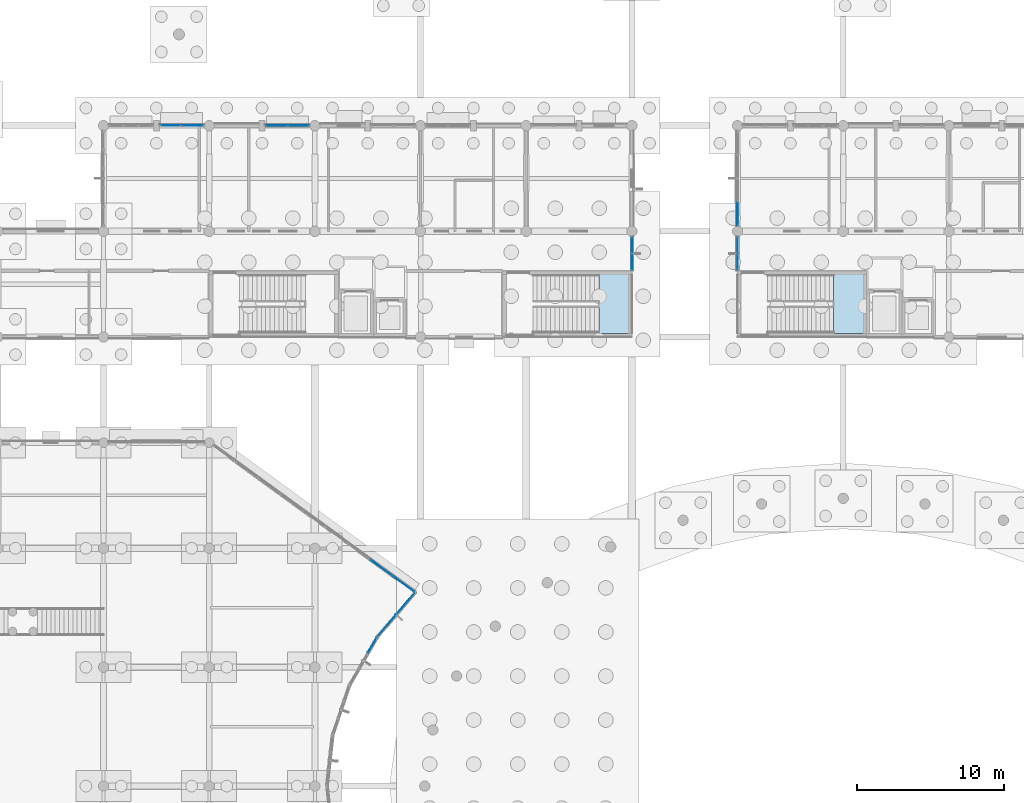
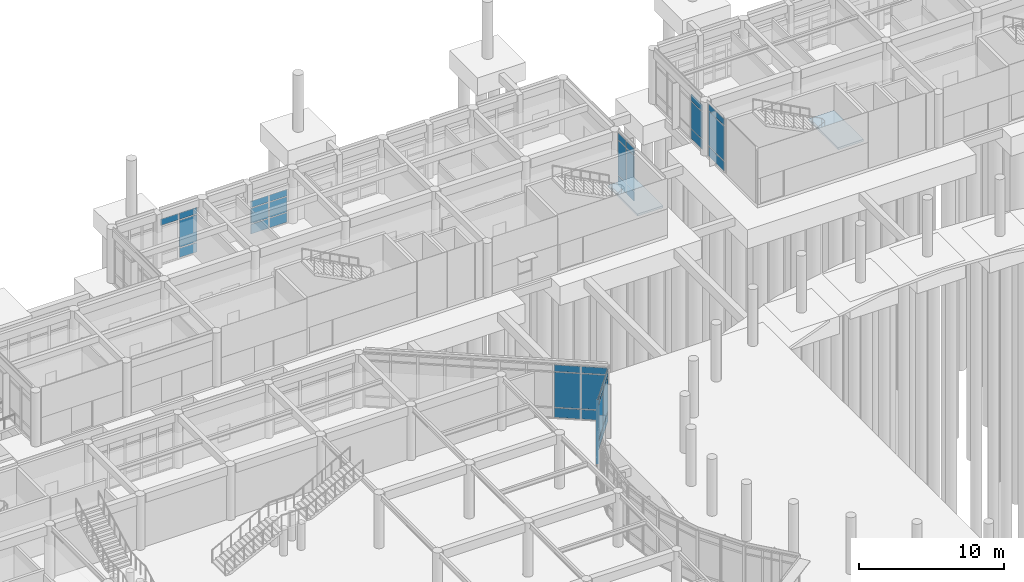
# One storey, part 48 of 103: 37 plates, 2 slabs, 10 elements without a shape of their own.
"""IFC4 building model written with IfcOpenShell, lengths in metres."""

from ifc_helpers import new_model, si_unit, direction, frame, origin, origin_2d, place, context, subcontext, project, spatial, polyline, rectangle, outline, extrude, material, layer, layer_set, type_object, element, aggregate, save


model = new_model("IFC4")

# Units and contexts
model_context = context("Model", 3, precision=1e-05, world=origin(), true_north=direction((0.0, 1.0)))
body_context = subcontext(model_context, "Body", "Model", "MODEL_VIEW")
ifc_project = project(units=[si_unit("LENGTHUNIT", "METRE"), si_unit("AREAUNIT", "SQUARE_METRE"), si_unit("VOLUMEUNIT", "CUBIC_METRE"), si_unit("PLANEANGLEUNIT", "RADIAN"), si_unit("MASSUNIT", "GRAM", prefix="KILO")], contexts=[model_context])

# Site, building, storey
site_placement = place(None, origin())
site = spatial("IfcSite", under=ifc_project, at=site_placement, CompositionType="ELEMENT")
building_placement = place(site_placement, origin())
building = spatial("IfcBuilding", under=site, at=building_placement, Name="Namkhue Oval Health Centre", CompositionType="ELEMENT")
storey_placement = place(building_placement, origin())
storey = spatial("IfcBuildingStorey", under=building, at=storey_placement, Name="L00", CompositionType="ELEMENT", Elevation=0.0)

# Curtain wall, plates
ifc_material_1 = material(Name="Anodised aluminium EN AW-6063 T6", Category="aluminium")
ifc_layer_1 = layer(ifc_material_1, 0.159912109375)
ifc_layer_set_1 = layer_set([ifc_layer_1], Name="Anodised aluminium EN AW-6063 T6")
curtain_wall_type_1 = type_object("IfcCurtainWallType", Name="UNITISED CURTAIN WALL M1500", PredefinedType="NOTDEFINED", material=ifc_layer_set_1)
curtain_wall_1_placement = place(storey_placement, origin())
curtain_wall_1 = element("IfcCurtainWall", 1, at=curtain_wall_1_placement, inside=storey, type_object=curtain_wall_type_1, Name="Volume V1 L00 Unitised Curtain Wall 9", PredefinedType="NOTDEFINED")
ifc_material_2 = material(Name="Thermally broken low-E laminated double glazing", Category="glass")
ifc_layer_2 = layer(ifc_material_2, 0.02587890625)
ifc_layer_set_2 = layer_set([ifc_layer_2], Name="Thermally broken low-E laminated double glazing")
plate_type_1 = type_object("IfcPlateType", Name="CURTAIN WALL GLAZED PANEL 26", PredefinedType="CURTAIN_PANEL", material=ifc_layer_set_2)
plate_1_placement = place(storey_placement, frame((68.70556640625, 69.002685546875, 0.06494140625), z_axis=(0.0, 0.0, 1.0), x_axis=(0.501757798896, 0.865008156752, 0.0)))
plate_1 = element("IfcPlate", 2, at=plate_1_placement, type_object=plate_type_1, Name="CW-03 panel 3.1", PredefinedType="CURTAIN_PANEL", context=body_context, shape_type="SweptSolid", body=[
    extrude(rectangle(XDim=1.15869140625, YDim=0.02587890625, at=origin_2d()), origin(), (0.0, 0.0, 1.0), 0.802490234375),
])
plate_2_placement = place(storey_placement, frame((68.70556640625, 69.002685546875, 0.9326171875), z_axis=(0.0, 0.0, 1.0), x_axis=(0.501757798896, 0.865008156752, 0.0)))
plate_2 = element("IfcPlate", 3, at=plate_2_placement, type_object=plate_type_1, Name="CW-03 panel 3.2", PredefinedType="CURTAIN_PANEL", context=body_context, shape_type="SweptSolid", body=[
    extrude(rectangle(XDim=1.15869140625, YDim=0.02587890625, at=origin_2d()), origin(), (0.0, 0.0, 1.0), 2.949951171875),
])
plate_3_placement = place(storey_placement, frame((68.70556640625, 69.002685546875, 3.947265625), z_axis=(0.0, 0.0, 1.0), x_axis=(0.501757798896, 0.865008156752, 0.0)))
plate_3 = element("IfcPlate", 4, at=plate_3_placement, type_object=plate_type_1, Name="CW-03 panel 3.3", PredefinedType="CURTAIN_PANEL", context=body_context, shape_type="SweptSolid", body=[
    extrude(rectangle(XDim=1.15869140625, YDim=0.02587890625, at=origin_2d()), origin(), (0.0, 0.0, 1.0), 0.552490234375),
])
aggregate(curtain_wall_1, [plate_1, plate_2, plate_3])

ifc_layer_3 = layer(ifc_material_1, 0.159912109375)
ifc_layer_set_3 = layer_set([ifc_layer_3], Name="Anodised aluminium EN AW-6063 T6")
curtain_wall_type_2 = type_object("IfcCurtainWallType", Name="UNITISED CURTAIN WALL M1200", PredefinedType="NOTDEFINED", material=ifc_layer_set_3)
curtain_wall_2_placement = place(storey_placement, origin())
curtain_wall_2 = element("IfcCurtainWall", 5, at=curtain_wall_2_placement, inside=storey, type_object=curtain_wall_type_2, Name="Volume V2 L00 Unitised Curtain Wall 37", PredefinedType="NOTDEFINED")
plate_4_placement = place(storey_placement, frame((86.39990234375, 95.114013671875, 0.06494140625), z_axis=(0.0, 0.0, 1.0), x_axis=(0.0, 1.0, 0.0)))
plate_4 = element("IfcPlate", 6, at=plate_4_placement, type_object=plate_type_1, Name="CW-01 panel 1.1", PredefinedType="CURTAIN_PANEL", context=body_context, shape_type="SweptSolid", body=[
    extrude(rectangle(XDim=1.06396484375, YDim=0.02587890625, at=origin_2d()), origin(), (0.0, 0.0, 1.0), 0.802490234375),
])
plate_5_placement = place(storey_placement, frame((86.39990234375, 95.114013671875, 0.9326171875), z_axis=(0.0, 0.0, 1.0), x_axis=(0.0, 1.0, 0.0)))
plate_5 = element("IfcPlate", 7, at=plate_5_placement, type_object=plate_type_1, Name="CW-01 panel 1.2", PredefinedType="CURTAIN_PANEL", context=body_context, shape_type="SweptSolid", body=[
    extrude(rectangle(XDim=1.06396484375, YDim=0.02587890625, at=origin_2d()), origin(), (0.0, 0.0, 1.0), 2.945068359375),
])
plate_6_placement = place(storey_placement, frame((86.39990234375, 95.114013671875, 3.9423828125), z_axis=(0.0, 0.0, 1.0), x_axis=(0.0, 1.0, 0.0)))
plate_6 = element("IfcPlate", 8, at=plate_6_placement, type_object=plate_type_1, Name="CW-01 panel 1.3", PredefinedType="CURTAIN_PANEL", context=body_context, shape_type="SweptSolid", body=[
    extrude(rectangle(XDim=1.06396484375, YDim=0.02587890625, at=origin_2d()), origin(), (0.0, 0.0, 1.0), 0.552490234375),
])
plate_7_placement = place(storey_placement, frame((86.39990234375, 96.242919921875, 0.06494140625), z_axis=(0.0, 0.0, 1.0), x_axis=(0.0, 1.0, 0.0)))
plate_7 = element("IfcPlate", 9, at=plate_7_placement, type_object=plate_type_1, Name="CW-01 panel 2.1", PredefinedType="CURTAIN_PANEL", context=body_context, shape_type="SweptSolid", body=[
    extrude(rectangle(XDim=1.06396484375, YDim=0.02587890625, at=origin_2d()), origin(), (0.0, 0.0, 1.0), 0.802490234375),
])
plate_8_placement = place(storey_placement, frame((86.39990234375, 96.242919921875, 0.9326171875), z_axis=(0.0, 0.0, 1.0), x_axis=(0.0, 1.0, 0.0)))
plate_8 = element("IfcPlate", 10, at=plate_8_placement, type_object=plate_type_1, Name="CW-01 panel 2.2", PredefinedType="CURTAIN_PANEL", context=body_context, shape_type="SweptSolid", body=[
    extrude(rectangle(XDim=1.06396484375, YDim=0.02587890625, at=origin_2d()), origin(), (0.0, 0.0, 1.0), 2.945068359375),
])
plate_9_placement = place(storey_placement, frame((86.39990234375, 96.242919921875, 3.9423828125), z_axis=(0.0, 0.0, 1.0), x_axis=(0.0, 1.0, 0.0)))
plate_9 = element("IfcPlate", 11, at=plate_9_placement, type_object=plate_type_1, Name="CW-01 panel 2.3", PredefinedType="CURTAIN_PANEL", context=body_context, shape_type="SweptSolid", body=[
    extrude(rectangle(XDim=1.06396484375, YDim=0.02587890625, at=origin_2d()), origin(), (0.0, 0.0, 1.0), 0.552490234375),
])
aggregate(curtain_wall_2, [plate_4, plate_5, plate_6, plate_7, plate_8, plate_9])

ifc_layer_4 = layer(ifc_material_1, 0.159912109375)
ifc_layer_set_4 = layer_set([ifc_layer_4], Name="Anodised aluminium EN AW-6063 T6")
curtain_wall_type_3 = type_object("IfcCurtainWallType", Name="UNITISED CURTAIN WALL M1800", PredefinedType="NOTDEFINED", material=ifc_layer_set_4)
curtain_wall_3_placement = place(storey_placement, origin())
curtain_wall_3 = element("IfcCurtainWall", 12, at=curtain_wall_3_placement, inside=storey, type_object=curtain_wall_type_3, Name="Volume V2 L00 Unitised Curtain Wall 41", PredefinedType="NOTDEFINED")
plate_10_placement = place(storey_placement, frame((63.66650390625, 104.39990234375, 0.06494140625), z_axis=(0.0, 0.0, 1.0), x_axis=(-1.0, 0.0, 0.0)))
plate_10 = element("IfcPlate", 13, at=plate_10_placement, type_object=plate_type_1, Name="CW-05 panel 1.1", PredefinedType="CURTAIN_PANEL", context=body_context, shape_type="SweptSolid", body=[
    extrude(rectangle(XDim=1.4169921875, YDim=0.02587890625, at=origin_2d()), origin(), (0.0, 0.0, 1.0), 0.802490234375),
])
plate_11_placement = place(storey_placement, frame((63.66650390625, 104.39990234375, 0.9326171875), z_axis=(0.0, 0.0, 1.0), x_axis=(-1.0, 0.0, 0.0)))
plate_11 = element("IfcPlate", 14, at=plate_11_placement, type_object=plate_type_1, Name="CW-05 panel 1.2", PredefinedType="CURTAIN_PANEL", context=body_context, shape_type="SweptSolid", body=[
    extrude(rectangle(XDim=1.4169921875, YDim=0.02587890625, at=origin_2d()), origin(), (0.0, 0.0, 1.0), 1.284912109375),
])
plate_12_placement = place(storey_placement, frame((63.66650390625, 104.39990234375, 2.28271484375), z_axis=(0.0, 0.0, 1.0), x_axis=(-1.0, 0.0, 0.0)))
plate_12 = element("IfcPlate", 15, at=plate_12_placement, type_object=plate_type_1, Name="CW-05 panel 1.3", PredefinedType="CURTAIN_PANEL", context=body_context, shape_type="SweptSolid", body=[
    extrude(rectangle(XDim=1.4169921875, YDim=0.02587890625, at=origin_2d()), origin(), (0.0, 0.0, 1.0), 0.552490234375),
])
plate_13_placement = place(storey_placement, frame((62.1845703125, 104.39990234375, 0.06494140625), z_axis=(0.0, 0.0, 1.0), x_axis=(-1.0, 0.0, 0.0)))
plate_13 = element("IfcPlate", 16, at=plate_13_placement, type_object=plate_type_1, Name="CW-05 panel 2.1", PredefinedType="CURTAIN_PANEL", context=body_context, shape_type="SweptSolid", body=[
    extrude(rectangle(XDim=1.4169921875, YDim=0.02587890625, at=origin_2d()), origin(), (0.0, 0.0, 1.0), 0.802490234375),
])
plate_14_placement = place(storey_placement, frame((62.1845703125, 104.39990234375, 0.9326171875), z_axis=(0.0, 0.0, 1.0), x_axis=(-1.0, 0.0, 0.0)))
plate_14 = element("IfcPlate", 17, at=plate_14_placement, type_object=plate_type_1, Name="CW-05 panel 2.2", PredefinedType="CURTAIN_PANEL", context=body_context, shape_type="SweptSolid", body=[
    extrude(rectangle(XDim=1.4169921875, YDim=0.02587890625, at=origin_2d()), origin(), (0.0, 0.0, 1.0), 1.284912109375),
])
plate_15_placement = place(storey_placement, frame((62.1845703125, 104.39990234375, 2.28271484375), z_axis=(0.0, 0.0, 1.0), x_axis=(-1.0, 0.0, 0.0)))
plate_15 = element("IfcPlate", 18, at=plate_15_placement, type_object=plate_type_1, Name="CW-05 panel 2.3", PredefinedType="CURTAIN_PANEL", context=body_context, shape_type="SweptSolid", body=[
    extrude(rectangle(XDim=1.4169921875, YDim=0.02587890625, at=origin_2d()), origin(), (0.0, 0.0, 1.0), 0.552490234375),
])
aggregate(curtain_wall_3, [plate_10, plate_11, plate_12, plate_13, plate_14, plate_15])

ifc_layer_5 = layer(ifc_material_1, 0.159912109375)
ifc_layer_set_5 = layer_set([ifc_layer_5], Name="Anodised aluminium EN AW-6063 T6")
curtain_wall_type_4 = type_object("IfcCurtainWallType", Name="UNITISED CURTAIN WALL M1600", PredefinedType="NOTDEFINED", material=ifc_layer_set_5)
curtain_wall_4_placement = place(storey_placement, origin())
curtain_wall_4 = element("IfcCurtainWall", 19, at=curtain_wall_4_placement, inside=storey, type_object=curtain_wall_type_4, Name="Volume V1 L00 Unitised Curtain Wall 10", PredefinedType="NOTDEFINED")
ifc_layer_6 = layer(ifc_material_2, 0.028076171875)
ifc_layer_set_6 = layer_set([ifc_layer_6], Name="Thermally broken low-E laminated double glazing")
plate_type_2 = type_object("IfcPlateType", Name="CURTAIN WALL GLAZED PANEL 28", PredefinedType="CURTAIN_PANEL", material=ifc_layer_set_6)
plate_16_placement = place(storey_placement, frame((69.6884765625, 70.33349609375, 0.074951171875), z_axis=(0.0, 0.0, 1.0), x_axis=(0.648746071067, 0.761004950887, 0.0)))
plate_16 = element("IfcPlate", 20, at=plate_16_placement, type_object=plate_type_2, Name="CW-04 panel 1.1", PredefinedType="CURTAIN_PANEL", context=body_context, shape_type="SweptSolid", body=[
    extrude(rectangle(XDim=1.8828125, YDim=0.028076171875, at=origin_2d()), origin(), (0.0, 0.0, 1.0), 0.78759765625),
])
plate_17_placement = place(storey_placement, frame((69.6884765625, 70.33349609375, 0.9375), z_axis=(0.0, 0.0, 1.0), x_axis=(0.648746071067, 0.761004950887, 0.0)))
plate_17 = element("IfcPlate", 21, at=plate_17_placement, type_object=plate_type_2, Name="CW-04 panel 1.2", PredefinedType="CURTAIN_PANEL", context=body_context, shape_type="SweptSolid", body=[
    extrude(rectangle(XDim=1.8828125, YDim=0.028076171875, at=origin_2d()), origin(), (0.0, 0.0, 1.0), 2.93994140625),
])
plate_18_placement = place(storey_placement, frame((69.6884765625, 70.33349609375, 3.952392578125), z_axis=(0.0, 0.0, 1.0), x_axis=(0.648746071067, 0.761004950887, 0.0)))
plate_18 = element("IfcPlate", 22, at=plate_18_placement, type_object=plate_type_2, Name="CW-04 panel 1.3", PredefinedType="CURTAIN_PANEL", context=body_context, shape_type="SweptSolid", body=[
    extrude(rectangle(XDim=1.8828125, YDim=0.028076171875, at=origin_2d()), origin(), (0.0, 0.0, 1.0), 0.53759765625),
])
plate_19_placement = place(storey_placement, frame((70.95849609375, 71.823486328125, 0.074951171875), z_axis=(0.0, 0.0, 1.0), x_axis=(0.648746071067, 0.761004950887, 0.0)))
plate_19 = element("IfcPlate", 23, at=plate_19_placement, type_object=plate_type_2, Name="CW-04 panel 2.1", PredefinedType="CURTAIN_PANEL", context=body_context, shape_type="SweptSolid", body=[
    extrude(rectangle(XDim=1.8828125, YDim=0.028076171875, at=origin_2d()), origin(), (0.0, 0.0, 1.0), 0.78759765625),
])
plate_20_placement = place(storey_placement, frame((70.95849609375, 71.823486328125, 0.9375), z_axis=(0.0, 0.0, 1.0), x_axis=(0.648746071067, 0.761004950887, 0.0)))
plate_20 = element("IfcPlate", 24, at=plate_20_placement, type_object=plate_type_2, Name="CW-04 panel 2.2", PredefinedType="CURTAIN_PANEL", context=body_context, shape_type="SweptSolid", body=[
    extrude(rectangle(XDim=1.8828125, YDim=0.028076171875, at=origin_2d()), origin(), (0.0, 0.0, 1.0), 2.93994140625),
])
plate_21_placement = place(storey_placement, frame((70.95849609375, 71.823486328125, 3.952392578125), z_axis=(0.0, 0.0, 1.0), x_axis=(0.648746071067, 0.761004950887, 0.0)))
plate_21 = element("IfcPlate", 25, at=plate_21_placement, type_object=plate_type_2, Name="CW-04 panel 2.3", PredefinedType="CURTAIN_PANEL", context=body_context, shape_type="SweptSolid", body=[
    extrude(rectangle(XDim=1.8828125, YDim=0.028076171875, at=origin_2d()), origin(), (0.0, 0.0, 1.0), 0.53759765625),
])
aggregate(curtain_wall_4, [plate_16, plate_17, plate_18, plate_19, plate_20, plate_21])

ifc_layer_7 = layer(ifc_material_1, 0.159912109375)
ifc_layer_set_7 = layer_set([ifc_layer_7], Name="Anodised aluminium EN AW-6063 T6")
curtain_wall_type_5 = type_object("IfcCurtainWallType", Name="UNITISED CURTAIN WALL M2000", PredefinedType="NOTDEFINED", material=ifc_layer_set_7)
curtain_wall_5_placement = place(storey_placement, origin())
curtain_wall_5 = element("IfcCurtainWall", 26, at=curtain_wall_5_placement, inside=storey, type_object=curtain_wall_type_5, Name="Volume V2 L00 Unitised Curtain Wall 42", PredefinedType="NOTDEFINED")
plate_22_placement = place(storey_placement, frame((56.464111328125, 104.39990234375, 0.074951171875), z_axis=(0.0, 0.0, 1.0), x_axis=(-1.0, 0.0, 0.0)))
plate_22 = element("IfcPlate", 27, at=plate_22_placement, type_object=plate_type_2, Name="CW-06 panel 1.1", PredefinedType="CURTAIN_PANEL", context=body_context, shape_type="SweptSolid", body=[
    extrude(rectangle(XDim=1.402099609375, YDim=0.028076171875, at=origin_2d()), origin(), (0.0, 0.0, 1.0), 0.78759765625),
])
plate_23_placement = place(storey_placement, frame((56.464111328125, 104.39990234375, 0.9375), z_axis=(0.0, 0.0, 1.0), x_axis=(-1.0, 0.0, 0.0)))
plate_23 = element("IfcPlate", 28, at=plate_23_placement, type_object=plate_type_2, Name="CW-06 panel 1.2", PredefinedType="CURTAIN_PANEL", context=body_context, shape_type="SweptSolid", body=[
    extrude(rectangle(XDim=1.402099609375, YDim=0.028076171875, at=origin_2d()), origin(), (0.0, 0.0, 1.0), 2.284912109375),
])
plate_24_placement = place(storey_placement, frame((56.464111328125, 104.39990234375, 3.29736328125), z_axis=(0.0, 0.0, 1.0), x_axis=(-1.0, 0.0, 0.0)))
plate_24 = element("IfcPlate", 29, at=plate_24_placement, type_object=plate_type_2, Name="CW-06 panel 1.3", PredefinedType="CURTAIN_PANEL", context=body_context, shape_type="SweptSolid", body=[
    extrude(rectangle(XDim=1.402099609375, YDim=0.028076171875, at=origin_2d()), origin(), (0.0, 0.0, 1.0), 0.53759765625),
])
plate_25_placement = place(storey_placement, frame((54.987060546875, 104.39990234375, 3.29736328125), z_axis=(0.0, 0.0, 1.0), x_axis=(-1.0, 0.0, 0.0)))
plate_25 = element("IfcPlate", 30, at=plate_25_placement, type_object=plate_type_2, Name="CW-06 panel 2.3", PredefinedType="CURTAIN_PANEL", context=body_context, shape_type="SweptSolid", body=[
    extrude(rectangle(XDim=1.402099609375, YDim=0.028076171875, at=origin_2d()), origin(), (0.0, 0.0, 1.0), 0.53759765625),
])
aggregate(curtain_wall_5, [plate_22, plate_23, plate_24, plate_25])

curtain_wall_6_placement = place(storey_placement, origin())
curtain_wall_6 = element("IfcCurtainWall", 31, at=curtain_wall_6_placement, inside=storey, type_object=curtain_wall_type_3, Name="Volume V1 L00 Unitised Curtain Wall 11", PredefinedType="NOTDEFINED")
ifc_material_3 = material(Name="Insulated anodised aluminium spandrel panel", Category="aluminium")
ifc_layer_8 = layer(ifc_material_3, 0.031982421875)
ifc_layer_set_8 = layer_set([ifc_layer_8], Name="Insulated anodised aluminium spandrel panel")
plate_type_3 = type_object("IfcPlateType", Name="CURTAIN WALL SPANDREL PANEL 32", PredefinedType="CURTAIN_PANEL", material=ifc_layer_set_8)
plate_26_placement = place(storey_placement, frame((70.841064453125, 73.162353515625, 0.06494140625), z_axis=(0.0, 0.0, 1.0), x_axis=(-0.808513999682, 0.588476942894, 0.0)))
plate_26 = element("IfcPlate", 32, at=plate_26_placement, type_object=plate_type_3, Name="CW-05 panel 1.1", PredefinedType="CURTAIN_PANEL", context=body_context, shape_type="SweptSolid", body=[
    extrude(rectangle(XDim=1.791748046875, YDim=0.031982421875, at=origin_2d()), origin(), (0.0, 0.0, 1.0), 0.802490234375),
])
plate_27_placement = place(storey_placement, frame((70.841064453125, 73.162353515625, 0.9326171875), z_axis=(0.0, 0.0, 1.0), x_axis=(-0.808513999682, 0.588476942894, 0.0)))
plate_27 = element("IfcPlate", 33, at=plate_27_placement, type_object=plate_type_3, Name="CW-05 panel 1.2", PredefinedType="CURTAIN_PANEL", context=body_context, shape_type="SweptSolid", body=[
    extrude(rectangle(XDim=1.791748046875, YDim=0.031982421875, at=origin_2d()), origin(), (0.0, 0.0, 1.0), 2.949951171875),
])
plate_28_placement = place(storey_placement, frame((70.841064453125, 73.162353515625, 3.947265625), z_axis=(0.0, 0.0, 1.0), x_axis=(-0.808513999682, 0.588476942894, 0.0)))
plate_28 = element("IfcPlate", 34, at=plate_28_placement, type_object=plate_type_3, Name="CW-05 panel 1.3", PredefinedType="CURTAIN_PANEL", context=body_context, shape_type="SweptSolid", body=[
    extrude(rectangle(XDim=1.791748046875, YDim=0.031982421875, at=origin_2d()), origin(), (0.0, 0.0, 1.0), 0.552490234375),
])
plate_29_placement = place(storey_placement, frame((69.326904296875, 74.2646484375, 0.06494140625), z_axis=(0.0, 0.0, 1.0), x_axis=(-0.808513999682, 0.588476942894, 0.0)))
plate_29 = element("IfcPlate", 35, at=plate_29_placement, type_object=plate_type_3, Name="CW-05 panel 2.1", PredefinedType="CURTAIN_PANEL", context=body_context, shape_type="SweptSolid", body=[
    extrude(rectangle(XDim=1.82421875, YDim=0.031982421875, at=origin_2d()), origin(), (0.0, 0.0, 1.0), 0.802490234375),
])
plate_30_placement = place(storey_placement, frame((69.326904296875, 74.2646484375, 0.9326171875), z_axis=(0.0, 0.0, 1.0), x_axis=(-0.808513999682, 0.588476942894, 0.0)))
plate_30 = element("IfcPlate", 36, at=plate_30_placement, type_object=plate_type_3, Name="CW-05 panel 2.2", PredefinedType="CURTAIN_PANEL", context=body_context, shape_type="SweptSolid", body=[
    extrude(rectangle(XDim=1.82421875, YDim=0.031982421875, at=origin_2d()), origin(), (0.0, 0.0, 1.0), 2.949951171875),
])
plate_31_placement = place(storey_placement, frame((69.326904296875, 74.2646484375, 3.947265625), z_axis=(0.0, 0.0, 1.0), x_axis=(-0.808513999682, 0.588476942894, 0.0)))
plate_31 = element("IfcPlate", 37, at=plate_31_placement, type_object=plate_type_3, Name="CW-05 panel 2.3", PredefinedType="CURTAIN_PANEL", context=body_context, shape_type="SweptSolid", body=[
    extrude(rectangle(XDim=1.82421875, YDim=0.031982421875, at=origin_2d()), origin(), (0.0, 0.0, 1.0), 0.552490234375),
])
aggregate(curtain_wall_6, [plate_26, plate_27, plate_28, plate_29, plate_30, plate_31])

curtain_wall_7_placement = place(storey_placement, origin())
curtain_wall_7 = element("IfcCurtainWall", 38, at=curtain_wall_7_placement, inside=storey, type_object=curtain_wall_type_1, Name="Volume V3 L00 Unitised Curtain Wall 99", PredefinedType="NOTDEFINED")
plate_32_placement = place(storey_placement, frame((93.60009765625, 98.38623046875, 0.06494140625), z_axis=(0.0, 0.0, 1.0), x_axis=(0.0, -1.0, 0.0)))
plate_32 = element("IfcPlate", 39, at=plate_32_placement, type_object=plate_type_3, Name="CW-03 panel 4.1", PredefinedType="CURTAIN_PANEL", context=body_context, shape_type="SweptSolid", body=[
    extrude(rectangle(XDim=1.5224609375, YDim=0.031982421875, at=origin_2d()), origin(), (0.0, 0.0, 1.0), 0.802490234375),
])
plate_33_placement = place(storey_placement, frame((93.60009765625, 98.38623046875, 0.932373046875), z_axis=(0.0, 0.0, 1.0), x_axis=(0.0, -1.0, 0.0)))
plate_33 = element("IfcPlate", 40, at=plate_33_placement, type_object=plate_type_3, Name="CW-03 panel 4.2", PredefinedType="CURTAIN_PANEL", context=body_context, shape_type="SweptSolid", body=[
    extrude(rectangle(XDim=1.5224609375, YDim=0.031982421875, at=origin_2d()), origin(), (0.0, 0.0, 1.0), 2.27001953125),
])
plate_34_placement = place(storey_placement, frame((93.60009765625, 98.38623046875, 3.267578125), z_axis=(0.0, 0.0, 1.0), x_axis=(0.0, -1.0, 0.0)))
plate_34 = element("IfcPlate", 41, at=plate_34_placement, type_object=plate_type_3, Name="CW-03 panel 4.3", PredefinedType="CURTAIN_PANEL", context=body_context, shape_type="SweptSolid", body=[
    extrude(rectangle(XDim=1.5224609375, YDim=0.031982421875, at=origin_2d()), origin(), (0.0, 0.0, 1.0), 0.552490234375),
])
aggregate(curtain_wall_7, [plate_32, plate_33, plate_34])

curtain_wall_8_placement = place(storey_placement, origin())
curtain_wall_8 = element("IfcCurtainWall", 42, at=curtain_wall_8_placement, inside=storey, type_object=curtain_wall_type_4, Name="Volume V3 L00 Unitised Curtain Wall 100", PredefinedType="NOTDEFINED")
ifc_layer_9 = layer(ifc_material_3, 0.035888671875)
ifc_layer_set_9 = layer_set([ifc_layer_9], Name="Insulated anodised aluminium spandrel panel")
plate_type_4 = type_object("IfcPlateType", Name="CURTAIN WALL SPANDREL PANEL 36", PredefinedType="CURTAIN_PANEL", material=ifc_layer_set_9)
plate_35_placement = place(storey_placement, frame((93.60009765625, 95.678466796875, 0.074951171875), z_axis=(0.0, 0.0, 1.0), x_axis=(0.0, -1.0, 0.0)))
plate_35 = element("IfcPlate", 43, at=plate_35_placement, type_object=plate_type_4, Name="CW-04 panel 1.1", PredefinedType="CURTAIN_PANEL", context=body_context, shape_type="SweptSolid", body=[
    extrude(rectangle(XDim=2.173095703125, YDim=0.035888671875, at=origin_2d()), origin(), (0.0, 0.0, 1.0), 0.78759765625),
])
plate_36_placement = place(storey_placement, frame((93.60009765625, 95.678466796875, 0.9375), z_axis=(0.0, 0.0, 1.0), x_axis=(0.0, -1.0, 0.0)))
plate_36 = element("IfcPlate", 44, at=plate_36_placement, type_object=plate_type_4, Name="CW-04 panel 1.2", PredefinedType="CURTAIN_PANEL", context=body_context, shape_type="SweptSolid", body=[
    extrude(rectangle(XDim=2.173095703125, YDim=0.035888671875, at=origin_2d()), origin(), (0.0, 0.0, 1.0), 2.909912109375),
])
plate_37_placement = place(storey_placement, frame((93.60009765625, 95.678466796875, 3.92236328125), z_axis=(0.0, 0.0, 1.0), x_axis=(0.0, -1.0, 0.0)))
plate_37 = element("IfcPlate", 45, at=plate_37_placement, type_object=plate_type_4, Name="CW-04 panel 1.3", PredefinedType="CURTAIN_PANEL", context=body_context, shape_type="SweptSolid", body=[
    extrude(rectangle(XDim=2.173095703125, YDim=0.035888671875, at=origin_2d()), origin(), (0.0, 0.0, 1.0), 0.53759765625),
])
aggregate(curtain_wall_8, [plate_35, plate_36, plate_37])

# Stair, slab
ifc_material_4 = material(Name="Reinforced concrete C30/37 (TCVN B35)", Category="concrete")
stair_type = type_object("IfcStairType", Name="DOGLEG EXIT STAIR H4800", PredefinedType="HALF_TURN_STAIR", material=ifc_material_4)
stair_1_placement = place(storey_placement, origin())
stair_1 = element("IfcStair", 46, at=stair_1_placement, inside=storey, type_object=stair_type, Name="Protected Exit Stair ST-04 L00", PredefinedType="HALF_TURN_STAIR")
ifc_layer_10 = layer(ifc_material_4, 0.179931640625)
ifc_layer_set_10 = layer_set([ifc_layer_10], Name="Reinforced concrete C30/37 (TCVN B35)")
slab_type = type_object("IfcSlabType", Name="STAIR LANDING SLAB 180", PredefinedType="LANDING", material=ifc_layer_set_10)
slab_1_placement = place(storey_placement, frame((0.0, 0.0, 2.219970703125)))
slab_1 = element("IfcSlab", 47, at=slab_1_placement, type_object=slab_type, Name="ST-04 landing 1", PredefinedType="LANDING", context=body_context, shape_type="SweptSolid", body=[
    extrude(outline(polyline([(84.14501953125, 90.22509765625), (86.175048828125, 90.22509765625), (86.175048828125, 94.27490234375), (84.14501953125, 94.27490234375), (84.14501953125, 90.22509765625)])), origin(), (0.0, 0.0, 1.0), 0.179931640625),
])
aggregate(stair_1, [slab_1])

stair_2_placement = place(storey_placement, origin())
stair_2 = element("IfcStair", 48, at=stair_2_placement, inside=storey, type_object=stair_type, Name="Protected Exit Stair ST-05 L00", PredefinedType="HALF_TURN_STAIR")
slab_2_placement = place(storey_placement, frame((0.0, 0.0, 2.219970703125)))
slab_2 = element("IfcSlab", 49, at=slab_2_placement, type_object=slab_type, Name="ST-05 landing 1", PredefinedType="LANDING", context=body_context, shape_type="SweptSolid", body=[
    extrude(outline(polyline([(100.14501953125, 90.22509765625), (102.175048828125, 90.22509765625), (102.175048828125, 94.27490234375), (100.14501953125, 94.27490234375), (100.14501953125, 90.22509765625)])), origin(), (0.0, 0.0, 1.0), 0.179931640625),
])
aggregate(stair_2, [slab_2])

save(model, "model.ifc")
